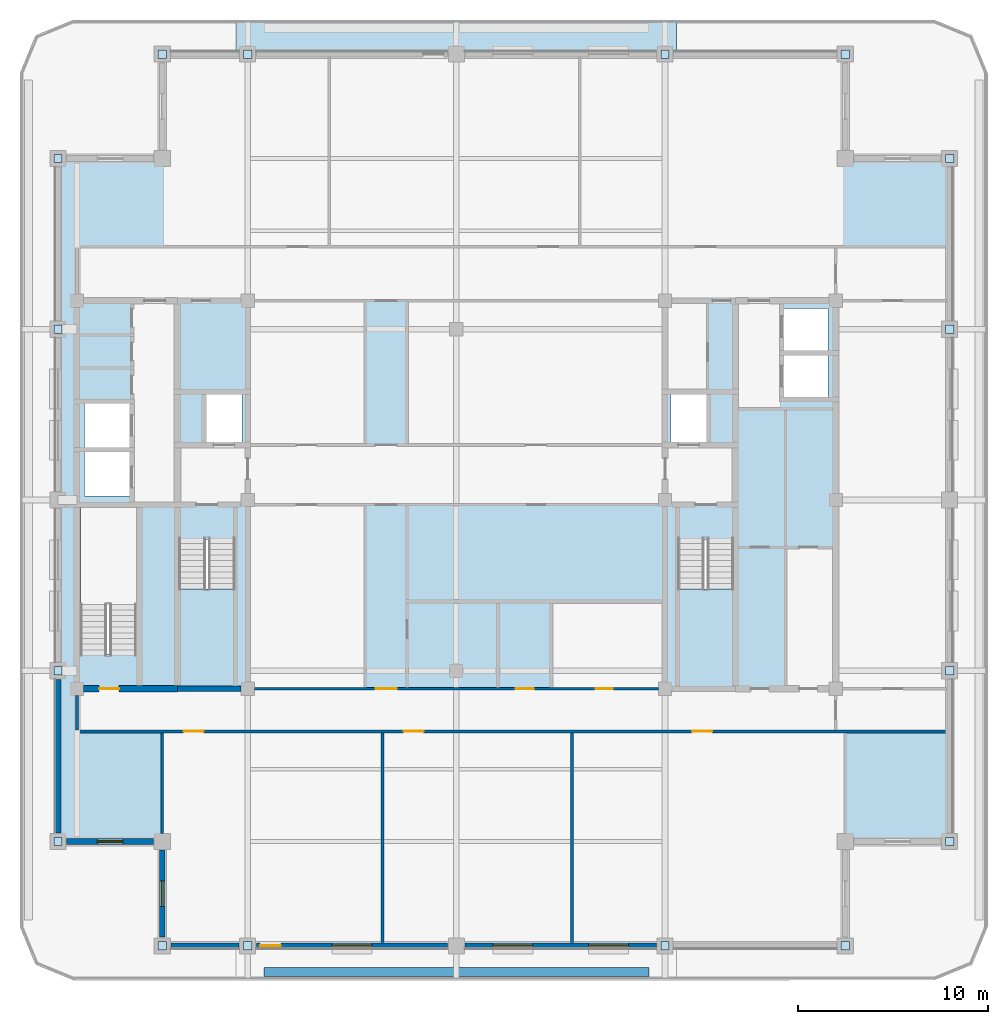
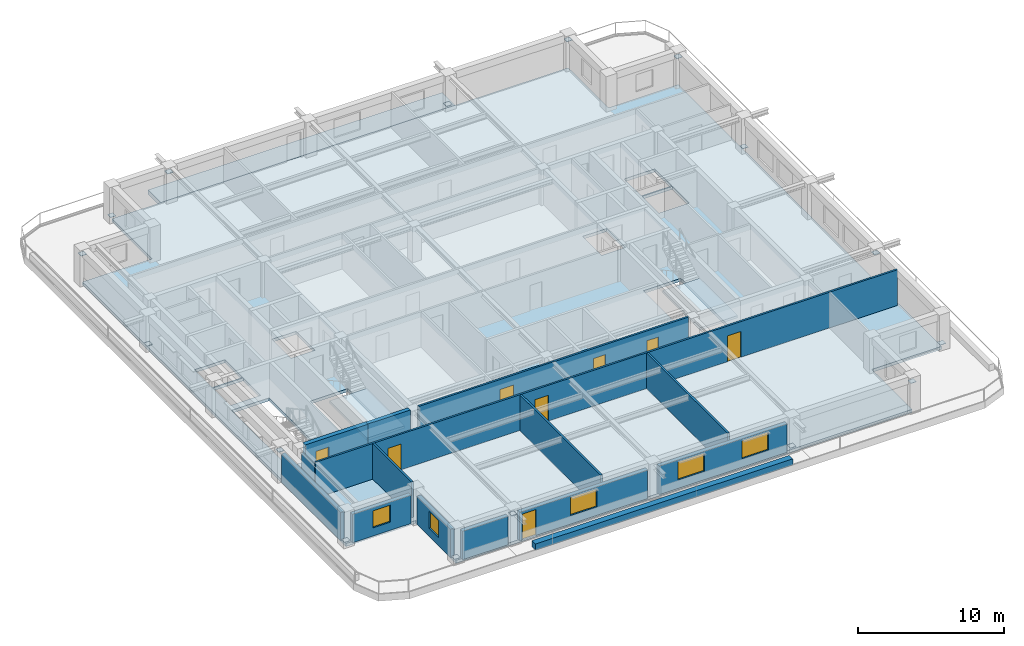
# One storey, part 2 of 11: 16 plates, 15 walls, 8 doors, 5 windows, 4 slabs, 13 openings, 2 elements without a shape of their own.
"""IFC4 building model written with IfcOpenShell, lengths in metres."""

from ifc_helpers import new_model, si_unit, direction, frame, frame_2d, origin, origin_2d, place, context, subcontext, project, spatial, polyline, rectangle, outline, extrude, material, layer, layer_set, type_object, element, fill, aggregate, save


model = new_model("IFC4")

# Units and contexts
model_context = context("Model", 3, precision=1e-05, world=origin(), true_north=direction((0.0, 1.0)))
body_context = subcontext(model_context, "Body", "Model", "MODEL_VIEW")
ifc_project = project(units=[si_unit("LENGTHUNIT", "METRE"), si_unit("AREAUNIT", "SQUARE_METRE"), si_unit("VOLUMEUNIT", "CUBIC_METRE"), si_unit("PLANEANGLEUNIT", "RADIAN"), si_unit("MASSUNIT", "GRAM", prefix="KILO")], contexts=[model_context])

# Site, building, storey
site_placement = place(None, origin())
site = spatial("IfcSite", under=ifc_project, at=site_placement, CompositionType="ELEMENT")
building_placement = place(site_placement, origin())
building = spatial("IfcBuilding", under=site, at=building_placement, Name="Zulmaris Gate Convention Tower", CompositionType="ELEMENT")
storey_placement = place(building_placement, frame((0.0, 0.0, 230.050048828125)))
storey = spatial("IfcBuildingStorey", under=building, at=storey_placement, Name="L60", CompositionType="ELEMENT", Elevation=230.050048828125)

# Plates
ifc_material_1 = material(Name="Steel S460", Category="steel")
ifc_layer_1 = layer(ifc_material_1, 0.02490234375, Name="Steel S460")
ifc_layer_set_1 = layer_set([ifc_layer_1], Name="Steel S460")
plate_type = type_object("IfcPlateType", Name="NP-CAP-440", PredefinedType="USERDEFINED", material=ifc_layer_set_1)
for number, where, z_axis, x_axis, name in (
    (1, (-21.0, -18.0, 0.28759765625), (0.0, 0.0, 1.0), (1.0, 0.0, 0.0), "L60 Steel Node Plate PBR-L60-SW-W-CAP"),
    (2, (-21.0, -9.0, 2.347412109375), (0.0, 0.0, 1.0), (1.0, 0.0, 0.0), "L60 Steel Node Plate PBR-L60-SW-W-CAPB"),
    (3, (-21.0, 9.0, 0.28759765625), (0.0, 0.0, 1.0), (1.0, 0.0, 0.0), "L60 Steel Node Plate PBR-L60-NW-W-CAP"),
    (4, (-21.0, 18.0, 2.347412109375), (0.0, 0.0, 1.0), (1.0, 0.0, 0.0), "L60 Steel Node Plate PBR-L60-NW-W-CAPB"),
    (5, (26.0, -18.0, 0.28759765625), (0.0, 0.0, 1.0), (1.0, 0.0, 0.0), "L60 Steel Node Plate PBR-L60-SE-E-CAP"),
    (6, (26.0, -9.0, 2.347412109375), (0.0, 0.0, 1.0), (1.0, 0.0, 0.0), "L60 Steel Node Plate PBR-L60-SE-E-CAPB"),
    (7, (26.0, 9.0, 0.28759765625), (0.0, 0.0, 1.0), (1.0, 0.0, 0.0), "L60 Steel Node Plate PBR-L60-NE-E-CAP"),
    (8, (26.0, 18.0, 2.347412109375), (0.0, 0.0, 1.0), (1.0, 0.0, 0.0), "L60 Steel Node Plate PBR-L60-NE-E-CAPB"),
    (9, (-15.5, -23.5, 0.28759765625), (0.0, 0.0, 1.0), (1.0, 0.0, 0.0), "L60 Steel Node Plate PBR-L60-SW-S-CAP"),
    (10, (-11.0, -23.5, 2.347412109375), (0.0, 0.0, 1.0), (1.0, 0.0, 0.0), "L60 Steel Node Plate PBR-L60-SW-S-CAPB"),
    (11, (11.0, -23.5, 0.28759765625), (0.0, 0.0, 1.0), (1.0, 0.0, 0.0), "L60 Steel Node Plate PBR-L60-SE-S-CAP"),
    (12, (20.5, -23.5, 2.347412109375), (0.0, 0.0, 1.0), (1.0, 0.0, 0.0), "L60 Steel Node Plate PBR-L60-SE-S-CAPB"),
    (13, (-15.5, 23.5, 0.28759765625), (0.0, 0.0, 1.0), (1.0, 0.0, 0.0), "L60 Steel Node Plate PBR-L60-NW-N-CAP"),
    (14, (-11.0, 23.5, 2.347412109375), (0.0, 0.0, 1.0), (1.0, 0.0, 0.0), "L60 Steel Node Plate PBR-L60-NW-N-CAPB"),
    (15, (11.0, 23.5, 0.28759765625), (0.0, 0.0, 1.0), (1.0, 0.0, 0.0), "L60 Steel Node Plate PBR-L60-NE-N-CAP"),
    (16, (20.5, 23.5, 2.347412109375), (0.0, 0.0, 1.0), (1.0, 0.0, 0.0), "L60 Steel Node Plate PBR-L60-NE-N-CAPB"),
):
    element("IfcPlate", number, at=place(storey_placement, frame(where, z_axis=z_axis, x_axis=x_axis)), inside=storey, type_object=plate_type, Name=name, ObjectType="FLANGE PLATE", PredefinedType="USERDEFINED", context=body_context, shape_type="SweptSolid", body=[
        extrude(rectangle(XDim=0.43994140625, YDim=0.43994140625, at=origin_2d()), origin(), (0.0, 0.0, 1.0), 0.02490234375),
    ])

# Slabs
ifc_material_2 = material(Name="Precast concrete C50/60", Category="concrete")
ifc_layer_2 = layer(ifc_material_2, 0.260009765625, Name="Precast concrete C50/60")
ifc_layer_set_2 = layer_set([ifc_layer_2], Name="Precast concrete C50/60")
slab_type_1 = type_object("IfcSlabType", Name="SL-BAL-260", PredefinedType="FLOOR", material=ifc_layer_set_2)
slab_1_placement = place(storey_placement, frame((0.0, 0.0, -0.425048828125)))
element("IfcSlab", 17, at=slab_1_placement, inside=storey, type_object=slab_type_1, Name="L60 North Tree-Balcony Planter Slab", PredefinedType="FLOOR", context=body_context, shape_type="SweptSolid", body=[
    extrude(outline(polyline([(11.597900390625, 25.300048828125), (11.597900390625, 23.5), (-11.597900390625, 23.5), (-11.597900390625, 25.300048828125), (11.597900390625, 25.300048828125)])), origin(), (0.0, 0.0, 1.0), 0.385009765625),
])
ifc_material_3 = material(Name="Concrete C50/60", Category="concrete")
ifc_layer_3 = layer(ifc_material_3, 0.25, Name="Concrete C50/60")
ifc_layer_set_3 = layer_set([ifc_layer_3], Name="Concrete C50/60")
slab_type_2 = type_object("IfcSlabType", Name="SL-FLR-250", PredefinedType="FLOOR", material=ifc_layer_set_3)
slab_2_placement = place(storey_placement, frame((0.0, 0.0, -0.25)))
element("IfcSlab", 18, at=slab_2_placement, inside=storey, type_object=slab_type_2, Name="L60 Shifted Notched-Square Structural Floor Slab", PredefinedType="FLOOR", context=body_context, shape_type="SweptSolid", body=[
    extrude(outline(polyline([(-15.5, -23.5), (20.5, -23.5), (20.5, -18.0), (26.0, -18.0), (26.0, 18.0), (20.5, 18.0), (20.5, 23.5), (-15.5, 23.5), (-15.5, 18.0), (-21.0, 18.0), (-21.0, -18.0), (-15.5, -18.0), (-15.5, -23.5)]), holes=[polyline([(-14.6201171875, -2.080078125), (-14.6201171875, -9.85009765625), (-11.659912109375, -9.85009765625), (-11.659912109375, -2.080078125), (-14.6201171875, -2.080078125)]), polyline([(11.659912109375, -2.080078125), (11.659912109375, -9.85009765625), (14.6201171875, -9.85009765625), (14.6201171875, -2.080078125), (11.659912109375, -2.080078125)]), polyline([(-16.860107421875, -8.1201171875), (-16.860107421875, -0.35009765625), (-19.820068359375, -0.35009765625), (-19.820068359375, -8.1201171875), (-16.860107421875, -8.1201171875)]), polyline([(-13.199951171875, 3.0), (-11.300048828125, 3.0), (-11.300048828125, 5.60009765625), (-13.199951171875, 5.60009765625), (-13.199951171875, 3.0)]), polyline([(11.300048828125, 3.0), (13.199951171875, 3.0), (13.199951171875, 5.60009765625), (11.300048828125, 5.60009765625), (11.300048828125, 3.0)]), polyline([(17.199951171875, 5.39990234375), (19.60009765625, 5.39990234375), (19.60009765625, 7.699951171875), (17.199951171875, 7.699951171875), (17.199951171875, 5.39990234375)]), polyline([(17.199951171875, 7.800048828125), (19.60009765625, 7.800048828125), (19.60009765625, 10.10009765625), (17.199951171875, 10.10009765625), (17.199951171875, 7.800048828125)]), polyline([(-19.60009765625, 0.199951171875), (-17.199951171875, 0.199951171875), (-17.199951171875, 2.60009765625), (-19.60009765625, 2.60009765625), (-19.60009765625, 0.199951171875)]), polyline([(-19.60009765625, 2.699951171875), (-17.199951171875, 2.699951171875), (-17.199951171875, 5.10009765625), (-19.60009765625, 5.10009765625), (-19.60009765625, 2.699951171875)])]), origin(), (0.0, 0.0, 1.0), 0.25),
])

# Stair, slab
ifc_material_4 = material(Name="Concrete C45/55", Category="concrete")
stair_type = type_object("IfcStairType", Name="ST-CORE-DOGLEG", PredefinedType="HALF_TURN_STAIR", material=ifc_material_4)
stair_1_placement = place(storey_placement, origin())
stair_1 = element("IfcStair", 19, at=stair_1_placement, inside=storey, type_object=stair_type, Name="L60 Core Exit Stair ST-1", PredefinedType="HALF_TURN_STAIR")
ifc_layer_4 = layer(ifc_material_4, 0.199951171875, Name="Concrete C45/55")
ifc_layer_set_4 = layer_set([ifc_layer_4], Name="Concrete C45/55")
slab_type_3 = type_object("IfcSlabType", Name="SL-LND-200", PredefinedType="LANDING", material=ifc_layer_set_4)
slab_3_placement = place(storey_placement, frame((0.0, 0.0, 1.4150390625)))
slab_3 = element("IfcSlab", 20, at=slab_3_placement, type_object=slab_type_3, Name="ST-1 landing 1", PredefinedType="LANDING", context=body_context, shape_type="SweptSolid", body=[
    extrude(outline(polyline([(-14.6201171875, -4.699951171875), (-14.6201171875, -9.85009765625), (-11.659912109375, -9.85009765625), (-11.659912109375, -4.699951171875), (-14.6201171875, -4.699951171875)])), origin(), (0.0, 0.0, 1.0), 0.199951171875),
])
aggregate(stair_1, [slab_3])

stair_2_placement = place(storey_placement, origin())
stair_2 = element("IfcStair", 21, at=stair_2_placement, inside=storey, type_object=stair_type, Name="L60 Core Exit Stair ST-2", PredefinedType="HALF_TURN_STAIR")
slab_4_placement = place(storey_placement, frame((0.0, 0.0, 1.4150390625)))
slab_4 = element("IfcSlab", 22, at=slab_4_placement, type_object=slab_type_3, Name="ST-2 landing 1", PredefinedType="LANDING", context=body_context, shape_type="SweptSolid", body=[
    extrude(outline(polyline([(11.659912109375, -4.699951171875), (11.659912109375, -9.85009765625), (14.6201171875, -9.85009765625), (14.6201171875, -4.699951171875), (11.659912109375, -4.699951171875)])), origin(), (0.0, 0.0, 1.0), 0.199951171875),
])
aggregate(stair_2, [slab_4])

# Wall
ifc_layer_5 = layer(ifc_material_3, 0.300048828125, Name="Concrete C50/60")
ifc_layer_set_5 = layer_set([ifc_layer_5], Name="Concrete C50/60")
wall_type_1 = type_object("IfcWallType", Name="CORE-300", PredefinedType="SHEAR", material=ifc_layer_set_5)
wall_1_placement = place(storey_placement, frame((-14.699951171875, -9.949951171875, 0.0), z_axis=(0.0, 0.0, 1.0), x_axis=(1.0, 0.0, 0.0)))
element("IfcWall", 23, at=wall_1_placement, inside=storey, type_object=wall_type_1, Name="WL-L60-002", PredefinedType="SHEAR", context=body_context, shape_type="SweptSolid", body=[
    extrude(rectangle(XDim=3.345947265625, YDim=0.300048828125, at=frame_2d((1.6728515625, 0.0))), origin(), (0.0, 0.0, 1.0), 2.97998046875),
])

# Wall, opening, door
ifc_material_5 = material(Name="Concrete C55/67", Category="concrete")
ifc_layer_6 = layer(ifc_material_5, 0.35009765625, Name="Concrete C55/67")
ifc_layer_set_6 = layer_set([ifc_layer_6], Name="Concrete C55/67")
wall_type_2 = type_object("IfcWallType", Name="CORE-350", PredefinedType="SHEAR", material=ifc_layer_set_6)
wall_2_placement = place(storey_placement, frame((-19.64599609375, -9.949951171875, 0.0), z_axis=(0.0, 0.0, 1.0), x_axis=(1.0, 0.0, 0.0)))
wall_2 = element("IfcWall", 24, at=wall_2_placement, inside=storey, type_object=wall_type_2, Name="WL-L60-001", PredefinedType="SHEAR", context=body_context, shape_type="SweptSolid", body=[
    extrude(rectangle(XDim=4.946044921875, YDim=0.35009765625, at=frame_2d((2.47314453125, 0.0))), origin(), (0.0, 0.0, 1.0), 2.97998046875),
])
opening_1_placement = place(wall_2_placement, frame((0.821044921875, 0.0, 0.0)))
opening_1 = element("IfcOpeningElement", 25, at=opening_1_placement, cuts=wall_2, Name="Opening D-09", PredefinedType="OPENING", context=body_context, shape_type="SweptSolid", body=[
    extrude(rectangle(XDim=1.050048828125, YDim=2.14990234375, at=frame_2d((0.52490234375, 1.074951171875))), frame((0.0, 0.18505859375, 0.0), z_axis=(0.0, -1.0, 0.0), x_axis=(1.0, 0.0, 0.0)), (0.0, 0.0, 1.0), 0.3701171875),
])
ifc_material_6 = material(Name="Fire-Rated Steel", Category="steel")
door_type_1 = type_object("IfcDoorType", Name="DR-1050-FD", OperationType="NOTDEFINED", PredefinedType="DOOR", material=ifc_material_6)
door_1_placement = place(opening_1_placement, origin())
door_1 = element("IfcDoor", 26, at=door_1_placement, inside=storey, type_object=door_type_1, Name="L60 Exit Stair ST-3 Door 10", OperationType="SINGLE_SWING_RIGHT", OverallHeight=2.14990234375, OverallWidth=1.050048828125, PredefinedType="DOOR", context=body_context, shape_type="SweptSolid", body=[
    extrude(rectangle(XDim=1.050048828125, YDim=2.14990234375, at=frame_2d((0.52490234375, 1.074951171875))), frame((0.0, 0.02490234375, 0.0), z_axis=(0.0, -1.0, 0.0), x_axis=(1.0, 0.0, 0.0)), (0.0, 0.0, 1.0), 0.050048828125),
])
fill(opening_1, door_1)

# Wall, openings, doors
ifc_material_7 = material(Name="Gypsum Metal Stud Partition")
ifc_layer_7 = layer(ifc_material_7, 0.14990234375, Name="Gypsum Metal Stud Partition")
ifc_layer_set_7 = layer_set([ifc_layer_7], Name="Gypsum Metal Stud Partition")
wall_type_3 = type_object("IfcWallType", Name="PART-150", PredefinedType="PARTITIONING", material=ifc_layer_set_7)
wall_3_placement = place(storey_placement, frame((-20.074951171875, -12.199951171875, 0.0), z_axis=(0.0, 0.0, 1.0), x_axis=(1.0, 0.0, 0.0)))
wall_3 = element("IfcWall", 27, at=wall_3_placement, inside=storey, type_object=wall_type_3, Name="WL-L60-019", PredefinedType="PARTITIONING", context=body_context, shape_type="SweptSolid", body=[
    extrude(rectangle(XDim=45.909912109375, YDim=0.14990234375, at=frame_2d((22.955078125, 0.0))), origin(), (0.0, 0.0, 1.0), 2.97998046875),
])
opening_2_placement = place(wall_3_placement, frame((5.699951171875, 0.0, 0.0)))
opening_2 = element("IfcOpeningElement", 28, at=opening_2_placement, cuts=wall_3, Name="Opening D-09", PredefinedType="OPENING", context=body_context, shape_type="SweptSolid", body=[
    extrude(rectangle(XDim=1.050048828125, YDim=2.14990234375, at=frame_2d((0.52490234375, 1.074951171875))), frame((0.0, 0.0849609375, 0.0), z_axis=(0.0, -1.0, 0.0), x_axis=(1.0, 0.0, 0.0)), (0.0, 0.0, 1.0), 0.169921875),
])
opening_3_placement = place(wall_3_placement, frame((17.300048828125, 0.0, 0.0)))
opening_3 = element("IfcOpeningElement", 29, at=opening_3_placement, cuts=wall_3, Name="Opening D-09", PredefinedType="OPENING", context=body_context, shape_type="SweptSolid", body=[
    extrude(rectangle(XDim=1.050048828125, YDim=2.14990234375, at=frame_2d((0.52490234375, 1.074951171875))), frame((0.0, 0.0849609375, 0.0), z_axis=(0.0, -1.0, 0.0), x_axis=(1.0, 0.0, 0.0)), (0.0, 0.0, 1.0), 0.169921875),
])
opening_4_placement = place(wall_3_placement, frame((32.5, 0.0, 0.0)))
opening_4 = element("IfcOpeningElement", 30, at=opening_4_placement, cuts=wall_3, Name="Opening D-09", PredefinedType="OPENING", context=body_context, shape_type="SweptSolid", body=[
    extrude(rectangle(XDim=1.050048828125, YDim=2.14990234375, at=frame_2d((0.52490234375, 1.074951171875))), frame((0.0, 0.0849609375, 0.0), z_axis=(0.0, -1.0, 0.0), x_axis=(1.0, 0.0, 0.0)), (0.0, 0.0, 1.0), 0.169921875),
])
door_2_placement = place(opening_2_placement, origin())
door_2 = element("IfcDoor", 31, at=door_2_placement, inside=storey, type_object=door_type_1, Name="L60 Delegate Business Lounge Door 31", OperationType="SINGLE_SWING_LEFT", OverallHeight=2.14990234375, OverallWidth=1.050048828125, PredefinedType="DOOR", context=body_context, shape_type="SweptSolid", body=[
    extrude(rectangle(XDim=1.050048828125, YDim=2.14990234375, at=frame_2d((0.52490234375, 1.074951171875))), frame((0.0, 0.02490234375, 0.0), z_axis=(0.0, -1.0, 0.0), x_axis=(1.0, 0.0, 0.0)), (0.0, 0.0, 1.0), 0.050048828125),
])
fill(opening_2, door_2)
door_3_placement = place(opening_3_placement, origin())
door_3 = element("IfcDoor", 32, at=door_3_placement, inside=storey, type_object=door_type_1, Name="L60 Commercial Advisory Office Door 32", OperationType="SINGLE_SWING_RIGHT", OverallHeight=2.14990234375, OverallWidth=1.050048828125, PredefinedType="DOOR", context=body_context, shape_type="SweptSolid", body=[
    extrude(rectangle(XDim=1.050048828125, YDim=2.14990234375, at=frame_2d((0.52490234375, 1.074951171875))), frame((0.0, 0.02490234375, 0.0), z_axis=(0.0, -1.0, 0.0), x_axis=(1.0, 0.0, 0.0)), (0.0, 0.0, 1.0), 0.050048828125),
])
fill(opening_3, door_3)
door_4_placement = place(opening_4_placement, origin())
door_4 = element("IfcDoor", 33, at=door_4_placement, inside=storey, type_object=door_type_1, Name="L60 Regional Corporate Office Door 33", OperationType="SINGLE_SWING_LEFT", OverallHeight=2.14990234375, OverallWidth=1.050048828125, PredefinedType="DOOR", context=body_context, shape_type="SweptSolid", body=[
    extrude(rectangle(XDim=1.050048828125, YDim=2.14990234375, at=frame_2d((0.52490234375, 1.074951171875))), frame((0.0, 0.02490234375, 0.0), z_axis=(0.0, -1.0, 0.0), x_axis=(1.0, 0.0, 0.0)), (0.0, 0.0, 1.0), 0.050048828125),
])
fill(opening_4, door_4)

wall_4_placement = place(storey_placement, frame((-10.64404296875, -9.949951171875, 0.0), z_axis=(0.0, 0.0, 1.0), x_axis=(1.0, 0.0, 0.0)))
wall_4 = element("IfcWall", 34, at=wall_4_placement, inside=storey, type_object=wall_type_3, Name="WL-L60-020", PredefinedType="PARTITIONING", context=body_context, shape_type="SweptSolid", body=[
    extrude(rectangle(XDim=21.2880859375, YDim=0.14990234375, at=frame_2d((10.64404296875, 0.0))), origin(), (0.0, 0.0, 1.0), 2.97998046875),
])
opening_5_placement = place(wall_4_placement, frame((6.39404296875, 0.0, 0.0)))
opening_5 = element("IfcOpeningElement", 35, at=opening_5_placement, cuts=wall_4, Name="Opening D-08", PredefinedType="OPENING", context=body_context, shape_type="SweptSolid", body=[
    extrude(rectangle(XDim=1.10009765625, YDim=2.14990234375, at=frame_2d((0.550048828125, 1.074951171875))), frame((0.0, 0.0849609375, 0.0), z_axis=(0.0, -1.0, 0.0), x_axis=(1.0, 0.0, 0.0)), (0.0, 0.0, 1.0), 0.169921875),
])
opening_6_placement = place(wall_4_placement, frame((13.76904296875, 0.0, 0.0)))
opening_6 = element("IfcOpeningElement", 36, at=opening_6_placement, cuts=wall_4, Name="Opening D-11", PredefinedType="OPENING", context=body_context, shape_type="SweptSolid", body=[
    extrude(rectangle(XDim=0.949951171875, YDim=2.14990234375, at=frame_2d((0.47509765625, 1.074951171875))), frame((0.0, 0.0849609375, 0.0), z_axis=(0.0, -1.0, 0.0), x_axis=(1.0, 0.0, 0.0)), (0.0, 0.0, 1.0), 0.169921875),
])
opening_7_placement = place(wall_4_placement, frame((17.993896484375, 0.0, 0.0)))
opening_7 = element("IfcOpeningElement", 37, at=opening_7_placement, cuts=wall_4, Name="Opening D-12", PredefinedType="OPENING", context=body_context, shape_type="SweptSolid", body=[
    extrude(rectangle(XDim=0.89990234375, YDim=2.14990234375, at=frame_2d((0.449951171875, 1.074951171875))), frame((0.0, 0.0849609375, 0.0), z_axis=(0.0, -1.0, 0.0), x_axis=(1.0, 0.0, 0.0)), (0.0, 0.0, 1.0), 0.169921875),
])
door_type_2 = type_object("IfcDoorType", Name="DR-1100-FD", OperationType="NOTDEFINED", PredefinedType="DOOR", material=ifc_material_6)
door_5_placement = place(opening_5_placement, origin())
door_5 = element("IfcDoor", 38, at=door_5_placement, inside=storey, type_object=door_type_2, Name="L60 Exec South Link Door 25", OperationType="SINGLE_SWING_LEFT", OverallHeight=2.14990234375, OverallWidth=1.10009765625, PredefinedType="DOOR", context=body_context, shape_type="SweptSolid", body=[
    extrude(rectangle(XDim=1.10009765625, YDim=2.14990234375, at=frame_2d((0.550048828125, 1.074951171875))), frame((0.0, 0.02490234375, 0.0), z_axis=(0.0, -1.0, 0.0), x_axis=(1.0, 0.0, 0.0)), (0.0, 0.0, 1.0), 0.050048828125),
])
fill(opening_5, door_5)
ifc_material_8 = material(Name="Fire-Rated Timber", Category="wood")
door_type_3 = type_object("IfcDoorType", Name="DR-900-FD", OperationType="NOTDEFINED", PredefinedType="DOOR", material=ifc_material_8)
door_6_placement = place(opening_7_placement, origin())
door_6 = element("IfcDoor", 39, at=door_6_placement, inside=storey, type_object=door_type_3, Name="L60 Reprographics Office Door 40", OperationType="SINGLE_SWING_RIGHT", OverallHeight=2.14990234375, OverallWidth=0.89990234375, PredefinedType="DOOR", context=body_context, shape_type="SweptSolid", body=[
    extrude(rectangle(XDim=0.89990234375, YDim=2.14990234375, at=frame_2d((0.449951171875, 1.074951171875))), frame((0.0, 0.02490234375, 0.0), z_axis=(0.0, -1.0, 0.0), x_axis=(1.0, 0.0, 0.0)), (0.0, 0.0, 1.0), 0.050048828125),
])
fill(opening_7, door_6)
door_type_4 = type_object("IfcDoorType", Name="DR-950-FD", OperationType="NOTDEFINED", PredefinedType="DOOR", material=ifc_material_8)
door_7_placement = place(opening_6_placement, origin())
door_7 = element("IfcDoor", 40, at=door_7_placement, inside=storey, type_object=door_type_4, Name="L60 Accessible WC Door 39", OperationType="SINGLE_SWING_LEFT", OverallHeight=2.14990234375, OverallWidth=0.949951171875, PredefinedType="DOOR", context=body_context, shape_type="SweptSolid", body=[
    extrude(rectangle(XDim=0.949951171875, YDim=2.14990234375, at=frame_2d((0.47509765625, 1.074951171875))), frame((0.0, 0.02490234375, 0.0), z_axis=(0.0, -1.0, 0.0), x_axis=(1.0, 0.0, 0.0)), (0.0, 0.0, 1.0), 0.050048828125),
])
fill(opening_6, door_7)

# Walls
wall_5_placement = place(storey_placement, frame((-20.0, -12.1220703125, 0.0), z_axis=(0.0, 0.0, 1.0), x_axis=(0.0, 1.0, 0.0)))
element("IfcWall", 41, at=wall_5_placement, inside=storey, type_object=wall_type_3, Name="WL-L60-064", PredefinedType="PARTITIONING", context=body_context, shape_type="SweptSolid", body=[
    extrude(rectangle(XDim=1.816162109375, YDim=0.14990234375, at=frame_2d((0.908203125, 0.0))), origin(), (0.0, 0.0, 1.0), 2.570068359375),
])
wall_6_placement = place(storey_placement, frame((-15.5, -17.569091796875, 0.0), z_axis=(0.0, 0.0, 1.0), x_axis=(0.0, 1.0, 0.0)))
element("IfcWall", 42, at=wall_6_placement, inside=storey, type_object=wall_type_3, Name="WL-L60-069", PredefinedType="PARTITIONING", context=body_context, shape_type="SweptSolid", body=[
    extrude(rectangle(XDim=5.291015625, YDim=0.14990234375, at=frame_2d((2.6455078125, 0.0))), origin(), (0.0, 0.0, 1.0), 2.97998046875),
])
for number, where, z_axis, x_axis, name in (
    (43, (-3.89990234375, -23.3349609375, 0.0), (0.0, 0.0, 1.0), (0.0, 1.0, 0.0), "WL-L60-073"),
    (44, (6.10009765625, -23.3349609375, 0.0), (0.0, 0.0, 1.0), (0.0, 1.0, 0.0), "WL-L60-079"),
):
    element("IfcWall", number, at=place(storey_placement, frame(where, z_axis=z_axis, x_axis=x_axis)), inside=storey, type_object=wall_type_3, Name=name, PredefinedType="PARTITIONING", context=body_context, shape_type="SweptSolid", body=[
        extrude(rectangle(XDim=11.056884765625, YDim=0.14990234375, at=frame_2d((5.5283203125, 0.0))), origin(), (0.0, 0.0, 1.0), 2.97998046875),
    ])
ifc_material_9 = material(Name="Botanical Green Glazed Precast Concrete C40/50", Category="concrete")
ifc_layer_8 = layer(ifc_material_9, 0.419921875, Name="Botanical Green Glazed Precast Concrete C40/50")
ifc_layer_set_8 = layer_set([ifc_layer_8], Name="Botanical Green Glazed Precast Concrete C40/50")
wall_type_4 = type_object("IfcWallType", Name="PLANTER-CURB-200", PredefinedType="PARAPET", material=ifc_layer_set_8)
wall_7_placement = place(storey_placement, frame((-10.14990234375, -24.8798828125, -0.0400390625), z_axis=(0.0, 0.0, 1.0), x_axis=(1.0, 0.0, 0.0)))
element("IfcWall", 45, at=wall_7_placement, inside=storey, type_object=wall_type_4, Name="L60 Full-Length Balcony Tree Planter Trough", PredefinedType="PARAPET", context=body_context, shape_type="SweptSolid", body=[
    extrude(rectangle(XDim=20.2998046875, YDim=0.47998046875, at=frame_2d((10.14990234375, 0.0))), origin(), (0.0, 0.0, 1.0), 0.52001953125),
])

# Wall, opening, window
ifc_material_10 = material(Name="Precast concrete C40/50", Category="concrete")
ifc_layer_9 = layer(ifc_material_10, 0.300048828125, Name="Precast concrete C40/50")
ifc_layer_set_9 = layer_set([ifc_layer_9], Name="Precast concrete C40/50")
wall_type_5 = type_object("IfcWallType", Name="PRECAST-PIER-300", PredefinedType="STANDARD", material=ifc_layer_set_9)
wall_8_placement = place(storey_placement, frame((-20.544921875, -18.0, 0.0), z_axis=(0.0, 0.0, 1.0), x_axis=(1.0, 0.0, 0.0)))
wall_8 = element("IfcWall", 46, at=wall_8_placement, inside=storey, type_object=wall_type_5, Name="EW-L60-NOTCH-SW1_0", PredefinedType="STANDARD", context=body_context, shape_type="SweptSolid", body=[
    extrude(rectangle(XDim=4.58984375, YDim=0.300048828125, at=frame_2d((2.294921875, 0.0))), origin(), (0.0, 0.0, 1.0), 2.3720703125),
])
opening_8_placement = place(wall_8_placement, frame((1.6201171875, 0.0, 0.679931640625)))
opening_8 = element("IfcOpeningElement", 47, at=opening_8_placement, cuts=wall_8, Name="Opening W-10", PredefinedType="OPENING", context=body_context, shape_type="SweptSolid", body=[
    extrude(rectangle(XDim=1.35009765625, YDim=1.419921875, at=frame_2d((0.675048828125, 0.7099609375))), frame((0.0, 0.16015625, 0.0), z_axis=(0.0, -1.0, 0.0), x_axis=(1.0, 0.0, 0.0)), (0.0, 0.0, 1.0), 0.320068359375),
])
ifc_material_11 = material(Name="Low-E Laminated Double Glazing in Aluminium Frame", Category="aluminium")
window_type_1 = type_object("IfcWindowType", Name="WIN-1350x2000", PartitioningType="SINGLE_PANEL", PredefinedType="WINDOW", material=ifc_material_11)
window_1_placement = place(opening_8_placement, origin())
window_1 = element("IfcWindow", 48, at=window_1_placement, inside=storey, type_object=window_type_1, Name="WN-EW-L60-NOTCH-SW1_0", OverallHeight=1.419921875, OverallWidth=1.35009765625, PartitioningType="SINGLE_PANEL", PredefinedType="WINDOW", context=body_context, shape_type="SweptSolid", body=[
    extrude(rectangle(XDim=1.35009765625, YDim=1.419921875, at=frame_2d((0.675048828125, 0.7099609375))), frame((0.0, 0.030029296875, 0.0), z_axis=(0.0, -1.0, 0.0), x_axis=(1.0, 0.0, 0.0)), (0.0, 0.0, 1.0), 0.06005859375),
])
fill(opening_8, window_1)

wall_9_placement = place(storey_placement, frame((-15.5, -18.455078125, 0.0), z_axis=(0.0, 0.0, 1.0), x_axis=(0.0, -1.0, 0.0)))
wall_9 = element("IfcWall", 49, at=wall_9_placement, inside=storey, type_object=wall_type_5, Name="EW-L60-NOTCH-SW2_0", PredefinedType="STANDARD", context=body_context, shape_type="SweptSolid", body=[
    extrude(rectangle(XDim=4.58984375, YDim=0.300048828125, at=frame_2d((2.294921875, 0.0))), origin(), (0.0, 0.0, 1.0), 2.3720703125),
])
opening_9_placement = place(wall_9_placement, frame((1.6201171875, 0.0, 0.679931640625)))
opening_9 = element("IfcOpeningElement", 50, at=opening_9_placement, cuts=wall_9, Name="Opening W-10", PredefinedType="OPENING", context=body_context, shape_type="SweptSolid", body=[
    extrude(rectangle(XDim=1.35009765625, YDim=1.419921875, at=frame_2d((0.675048828125, 0.7099609375))), frame((0.0, 0.16015625, 0.0), z_axis=(0.0, -1.0, 0.0), x_axis=(1.0, 0.0, 0.0)), (0.0, 0.0, 1.0), 0.320068359375),
])
window_2_placement = place(opening_9_placement, origin())
window_2 = element("IfcWindow", 51, at=window_2_placement, inside=storey, type_object=window_type_1, Name="WN-EW-L60-NOTCH-SW2_0", OverallHeight=1.419921875, OverallWidth=1.35009765625, PartitioningType="SINGLE_PANEL", PredefinedType="WINDOW", context=body_context, shape_type="SweptSolid", body=[
    extrude(rectangle(XDim=1.35009765625, YDim=1.419921875, at=frame_2d((0.675048828125, 0.7099609375))), frame((0.0, 0.030029296875, 0.0), z_axis=(0.0, -1.0, 0.0), x_axis=(1.0, 0.0, 0.0)), (0.0, 0.0, 1.0), 0.06005859375),
])
fill(opening_9, window_2)

# Wall
wall_10_placement = place(storey_placement, frame((-15.044921875, -23.5, 0.0), z_axis=(0.0, 0.0, 1.0), x_axis=(1.0, 0.0, 0.0)))
element("IfcWall", 52, at=wall_10_placement, inside=storey, type_object=wall_type_5, Name="EW-L60-S-0_0", PredefinedType="STANDARD", context=body_context, shape_type="SweptSolid", body=[
    extrude(rectangle(XDim=3.58984375, YDim=0.300048828125, at=frame_2d((1.794921875, 0.0))), origin(), (0.0, 0.0, 1.0), 2.3720703125),
])

# Wall, openings, door, window
wall_11_placement = place(storey_placement, frame((-10.544921875, -23.5, 0.0), z_axis=(0.0, 0.0, 1.0), x_axis=(1.0, 0.0, 0.0)))
wall_11 = element("IfcWall", 53, at=wall_11_placement, inside=storey, type_object=wall_type_5, Name="EW-L60-S-1_0", PredefinedType="STANDARD", context=body_context, shape_type="SweptSolid", body=[
    extrude(rectangle(XDim=10.08984375, YDim=0.300048828125, at=frame_2d((5.044921875, 0.0))), origin(), (0.0, 0.0, 1.0), 2.3720703125),
])
opening_10_placement = place(wall_11_placement, frame((0.199951171875, 0.0, 0.0)))
opening_10 = element("IfcOpeningElement", 54, at=opening_10_placement, cuts=wall_11, Name="Opening D-04", PredefinedType="OPENING", context=body_context, shape_type="SweptSolid", body=[
    extrude(rectangle(XDim=1.10009765625, YDim=2.14990234375, at=frame_2d((0.550048828125, 1.074951171875))), frame((0.0, 0.16015625, 0.0), z_axis=(0.0, -1.0, 0.0), x_axis=(1.0, 0.0, 0.0)), (0.0, 0.0, 1.0), 0.320068359375),
])
opening_11_placement = place(wall_11_placement, frame((3.9951171875, 0.0, 0.699951171875)))
opening_11 = element("IfcOpeningElement", 55, at=opening_11_placement, cuts=wall_11, Name="Opening W-05", PredefinedType="OPENING", context=body_context, shape_type="SweptSolid", body=[
    extrude(rectangle(XDim=2.10009765625, YDim=1.5, at=frame_2d((1.050048828125, 0.75))), frame((0.0, 0.16015625, 0.0), z_axis=(0.0, -1.0, 0.0), x_axis=(1.0, 0.0, 0.0)), (0.0, 0.0, 1.0), 0.320068359375),
])
ifc_material_12 = material(Name="Anodised Aluminium and Laminated Glass", Category="aluminium")
door_type_5 = type_object("IfcDoorType", Name="ED-1100", OperationType="SINGLE_SWING_RIGHT", PredefinedType="DOOR", material=ifc_material_12)
door_8_placement = place(opening_10_placement, origin())
door_8 = element("IfcDoor", 56, at=door_8_placement, inside=storey, type_object=door_type_5, Name="L60 S Planted Terrace Door", OperationType="SINGLE_SWING_RIGHT", OverallHeight=2.14990234375, OverallWidth=1.10009765625, PredefinedType="DOOR", context=body_context, shape_type="SweptSolid", body=[
    extrude(rectangle(XDim=1.10009765625, YDim=2.14990234375, at=frame_2d((0.550048828125, 1.074951171875))), frame((0.0, 0.02490234375, 0.0), z_axis=(0.0, -1.0, 0.0), x_axis=(1.0, 0.0, 0.0)), (0.0, 0.0, 1.0), 0.050048828125),
])
fill(opening_10, door_8)
window_type_2 = type_object("IfcWindowType", Name="WIN-2100x2400", PartitioningType="SINGLE_PANEL", PredefinedType="WINDOW", material=ifc_material_11)
window_3_placement = place(opening_11_placement, origin())
window_3 = element("IfcWindow", 57, at=window_3_placement, inside=storey, type_object=window_type_2, Name="WN-EW-L60-S-1_0-2", OverallHeight=1.5, OverallWidth=2.10009765625, PartitioningType="SINGLE_PANEL", PredefinedType="WINDOW", context=body_context, shape_type="SweptSolid", body=[
    extrude(rectangle(XDim=2.10009765625, YDim=1.5, at=frame_2d((1.050048828125, 0.75))), frame((0.0, 0.030029296875, 0.0), z_axis=(0.0, -1.0, 0.0), x_axis=(1.0, 0.0, 0.0)), (0.0, 0.0, 1.0), 0.06005859375),
])
fill(opening_11, window_3)

# Wall, openings, windows
wall_12_placement = place(storey_placement, frame((0.455078125, -23.5, 0.0), z_axis=(0.0, 0.0, 1.0), x_axis=(1.0, 0.0, 0.0)))
wall_12 = element("IfcWall", 58, at=wall_12_placement, inside=storey, type_object=wall_type_5, Name="EW-L60-S-2_0", PredefinedType="STANDARD", context=body_context, shape_type="SweptSolid", body=[
    extrude(rectangle(XDim=10.08984375, YDim=0.300048828125, at=frame_2d((5.044921875, 0.0))), origin(), (0.0, 0.0, 1.0), 2.3720703125),
])
opening_12_placement = place(wall_12_placement, frame((1.471923828125, 0.0, 0.699951171875)))
opening_12 = element("IfcOpeningElement", 59, at=opening_12_placement, cuts=wall_12, Name="Opening W-05", PredefinedType="OPENING", context=body_context, shape_type="SweptSolid", body=[
    extrude(rectangle(XDim=2.10009765625, YDim=1.5, at=frame_2d((1.050048828125, 0.75))), frame((0.0, 0.16015625, 0.0), z_axis=(0.0, -1.0, 0.0), x_axis=(1.0, 0.0, 0.0)), (0.0, 0.0, 1.0), 0.320068359375),
])
opening_13_placement = place(wall_12_placement, frame((6.51806640625, 0.0, 0.699951171875)))
opening_13 = element("IfcOpeningElement", 60, at=opening_13_placement, cuts=wall_12, Name="Opening W-05", PredefinedType="OPENING", context=body_context, shape_type="SweptSolid", body=[
    extrude(rectangle(XDim=2.10009765625, YDim=1.5, at=frame_2d((1.050048828125, 0.75))), frame((0.0, 0.16015625, 0.0), z_axis=(0.0, -1.0, 0.0), x_axis=(1.0, 0.0, 0.0)), (0.0, 0.0, 1.0), 0.320068359375),
])
window_4_placement = place(opening_12_placement, origin())
window_4 = element("IfcWindow", 61, at=window_4_placement, inside=storey, type_object=window_type_2, Name="WN-EW-L60-S-2_0-1", OverallHeight=1.5, OverallWidth=2.10009765625, PartitioningType="SINGLE_PANEL", PredefinedType="WINDOW", context=body_context, shape_type="SweptSolid", body=[
    extrude(rectangle(XDim=2.10009765625, YDim=1.5, at=frame_2d((1.050048828125, 0.75))), frame((0.0, 0.030029296875, 0.0), z_axis=(0.0, -1.0, 0.0), x_axis=(1.0, 0.0, 0.0)), (0.0, 0.0, 1.0), 0.06005859375),
])
fill(opening_12, window_4)
window_5_placement = place(opening_13_placement, origin())
window_5 = element("IfcWindow", 62, at=window_5_placement, inside=storey, type_object=window_type_2, Name="WN-EW-L60-S-2_0-3", OverallHeight=1.5, OverallWidth=2.10009765625, PartitioningType="SINGLE_PANEL", PredefinedType="WINDOW", context=body_context, shape_type="SweptSolid", body=[
    extrude(rectangle(XDim=2.10009765625, YDim=1.5, at=frame_2d((1.050048828125, 0.75))), frame((0.0, 0.030029296875, 0.0), z_axis=(0.0, -1.0, 0.0), x_axis=(1.0, 0.0, 0.0)), (0.0, 0.0, 1.0), 0.06005859375),
])
fill(opening_13, window_5)

# Wall
wall_13_placement = place(storey_placement, frame((-21.0, -9.455078125, 0.0), z_axis=(0.0, 0.0, 1.0), x_axis=(0.0, -1.0, 0.0)))
element("IfcWall", 63, at=wall_13_placement, inside=storey, type_object=wall_type_5, Name="EW-L60-W-0_0", PredefinedType="STANDARD", context=body_context, shape_type="SweptSolid", body=[
    extrude(rectangle(XDim=8.08984375, YDim=0.300048828125, at=frame_2d((4.044921875, 0.0))), origin(), (0.0, 0.0, 1.0), 2.3720703125),
])

save(model, "model.ifc")
